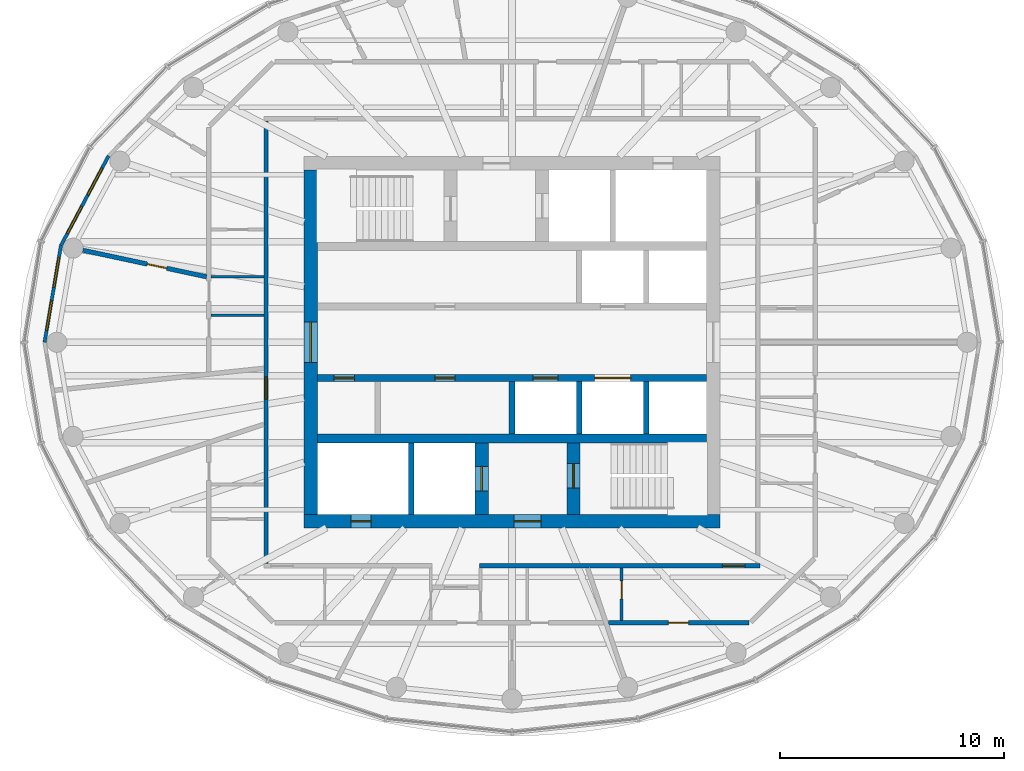
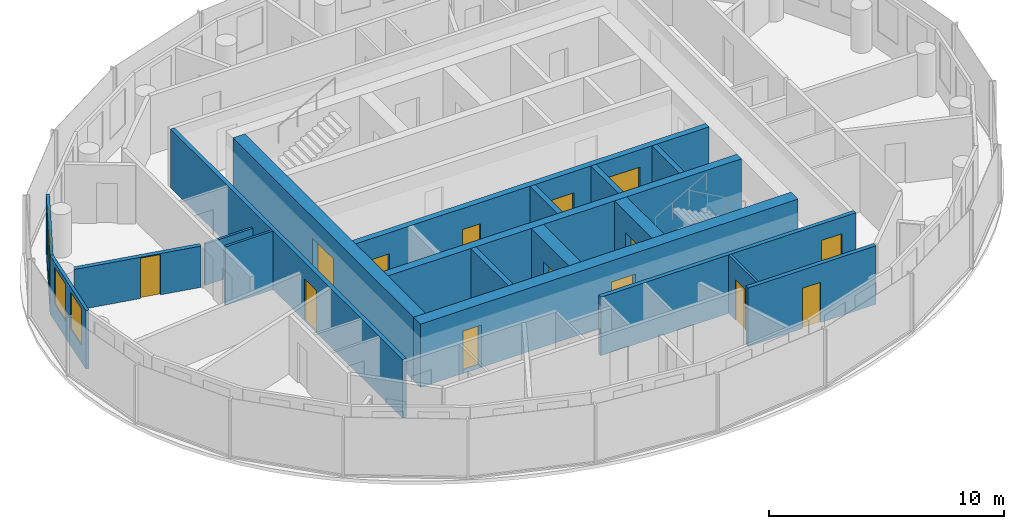
# One storey, part 6 of 11: 19 walls, 14 doors, 4 windows, 18 openings.
"""IFC4 building model written with IfcOpenShell, lengths in metres."""

from ifc_helpers import new_model, si_unit, direction, frame, frame_2d, origin, place, context, subcontext, project, spatial, rectangle, extrude, material, layer, layer_set, type_object, element, fill, save


model = new_model("IFC4")

# Units and contexts
model_context = context("Model", 3, precision=1e-05, world=origin(), true_north=direction((0.0, 1.0)))
body_context = subcontext(model_context, "Body", "Model", "MODEL_VIEW")
ifc_project = project(units=[si_unit("LENGTHUNIT", "METRE"), si_unit("AREAUNIT", "SQUARE_METRE"), si_unit("VOLUMEUNIT", "CUBIC_METRE"), si_unit("PLANEANGLEUNIT", "RADIAN"), si_unit("MASSUNIT", "GRAM", prefix="KILO")], contexts=[model_context])

# Site, building, storey
site_placement = place(None, origin())
site = spatial("IfcSite", under=ifc_project, at=site_placement, CompositionType="ELEMENT")
building_placement = place(site_placement, origin())
building = spatial("IfcBuilding", under=site, at=building_placement, Name="Hankou Lantern Tower", CompositionType="ELEMENT")
storey_placement = place(building_placement, frame((0.0, 0.0, 229.199951171875)))
storey = spatial("IfcBuildingStorey", under=building, at=storey_placement, Name="L62", CompositionType="ELEMENT", Elevation=229.199951171875)

# Wall, openings, doors
ifc_material_1 = material(Name="Concrete C60", Category="concrete")
ifc_layer_1 = layer(ifc_material_1, 0.60009765625)
ifc_layer_set_1 = layer_set([ifc_layer_1], Name="Concrete C60")
wall_type_1 = type_object("IfcWallType", Name="CW3 CORE WALL 600", PredefinedType="SHEAR", material=ifc_layer_set_1)
wall_1_placement = place(storey_placement, frame((9.300048828125, -8.0, 0.0), z_axis=(0.0, 0.0, 1.0), x_axis=(-1.0, 0.0, 0.0)))
wall_1 = element("IfcWall", 1, at=wall_1_placement, inside=storey, type_object=wall_type_1, Name="Core wall south L62", PredefinedType="SHEAR", context=body_context, shape_type="SweptSolid", body=[
    extrude(rectangle(XDim=18.60009765625, YDim=0.60009765625, at=frame_2d((9.300048828125, 0.0))), origin(), (0.0, 0.0, 1.0), 3.300048828125),
])
opening_1_placement = place(wall_1_placement, frame((8.0, 0.0, 0.0)))
opening_1 = element("IfcOpeningElement", 2, at=opening_1_placement, cuts=wall_1, Name="Opening D5", PredefinedType="OPENING", context=body_context, shape_type="SweptSolid", body=[
    extrude(rectangle(XDim=1.199951171875, YDim=2.199951171875, at=frame_2d((0.60009765625, 1.10009765625))), frame((0.0, 0.31005859375, 0.0), z_axis=(0.0, -1.0, 0.0), x_axis=(1.0, 0.0, 0.0)), (0.0, 0.0, 1.0), 0.6201171875),
])
opening_2_placement = place(wall_1_placement, frame((15.60009765625, 0.0, 0.0)))
opening_2 = element("IfcOpeningElement", 3, at=opening_2_placement, cuts=wall_1, Name="Opening D7", PredefinedType="OPENING", context=body_context, shape_type="SweptSolid", body=[
    extrude(rectangle(XDim=0.89990234375, YDim=2.199951171875, at=frame_2d((0.449951171875, 1.10009765625))), frame((0.0, 0.31005859375, 0.0), z_axis=(0.0, -1.0, 0.0), x_axis=(1.0, 0.0, 0.0)), (0.0, 0.0, 1.0), 0.6201171875),
])
ifc_material_2 = material(Name="Steel door leaf", Category="steel")
door_type_1 = type_object("IfcDoorType", Name="D5 STAIR LOBBY DOOR 1200X2200", OperationType="SINGLE_SWING_LEFT", PredefinedType="DOOR", material=ifc_material_2)
door_1_placement = place(opening_1_placement, origin())
door_1 = element("IfcDoor", 4, at=door_1_placement, inside=storey, type_object=door_type_1, Name="Stair B lobby door", OperationType="SINGLE_SWING_LEFT", OverallHeight=2.199951171875, OverallWidth=1.199951171875, PredefinedType="DOOR", context=body_context, shape_type="SweptSolid", body=[
    extrude(rectangle(XDim=1.199951171875, YDim=2.199951171875, at=frame_2d((0.60009765625, 1.10009765625))), frame((0.0, 0.02490234375, 0.0), z_axis=(0.0, -1.0, 0.0), x_axis=(1.0, 0.0, 0.0)), (0.0, 0.0, 1.0), 0.050048828125),
])
fill(opening_1, door_1)
ifc_material_3 = material(Name="Steel door leaf", Category="steel")
door_type_2 = type_object("IfcDoorType", Name="D7 RISER DOOR 900X2200", OperationType="SINGLE_SWING_LEFT", PredefinedType="DOOR", material=ifc_material_3)
door_2_placement = place(opening_2_placement, origin())
door_2 = element("IfcDoor", 5, at=door_2_placement, inside=storey, type_object=door_type_2, Name="Riser S1 door", OperationType="SINGLE_SWING_RIGHT", OverallHeight=2.199951171875, OverallWidth=0.89990234375, PredefinedType="DOOR", context=body_context, shape_type="SweptSolid", body=[
    extrude(rectangle(XDim=0.89990234375, YDim=2.199951171875, at=frame_2d((0.449951171875, 1.10009765625))), frame((0.0, 0.02490234375, 0.0), z_axis=(0.0, -1.0, 0.0), x_axis=(1.0, 0.0, 0.0)), (0.0, 0.0, 1.0), 0.050048828125),
])
fill(opening_2, door_2)

# Wall, opening, door
wall_2_placement = place(storey_placement, frame((-9.0, 7.699951171875, 0.0), z_axis=(0.0, 0.0, 1.0), x_axis=(0.0, -1.0, 0.0)))
wall_2 = element("IfcWall", 6, at=wall_2_placement, inside=storey, type_object=wall_type_1, Name="Core wall west L62", PredefinedType="SHEAR", context=body_context, shape_type="SweptSolid", body=[
    extrude(rectangle(XDim=15.39990234375, YDim=0.60009765625, at=frame_2d((7.699951171875, 0.0))), origin(), (0.0, 0.0, 1.0), 3.300048828125),
])
opening_3_placement = place(wall_2_placement, frame((6.800048828125, 0.0, 0.0)))
opening_3 = element("IfcOpeningElement", 7, at=opening_3_placement, cuts=wall_2, Name="Opening D6", PredefinedType="OPENING", context=body_context, shape_type="SweptSolid", body=[
    extrude(rectangle(XDim=1.800048828125, YDim=2.199951171875, at=frame_2d((0.89990234375, 1.10009765625))), frame((0.0, 0.31005859375, 0.0), z_axis=(0.0, -1.0, 0.0), x_axis=(1.0, 0.0, 0.0)), (0.0, 0.0, 1.0), 0.6201171875),
])
ifc_material_4 = material(Name="Steel door leaf", Category="steel")
door_type_3 = type_object("IfcDoorType", Name="D6 LIFT LOBBY DOOR 1800X2200", OperationType="DOUBLE_DOOR_DOUBLE_SWING", PredefinedType="DOOR", material=ifc_material_4)
door_3_placement = place(opening_3_placement, origin())
door_3 = element("IfcDoor", 8, at=door_3_placement, inside=storey, type_object=door_type_3, Name="Lift lobby west door", OperationType="DOUBLE_DOOR_DOUBLE_SWING", OverallHeight=2.199951171875, OverallWidth=1.800048828125, PredefinedType="DOOR", context=body_context, shape_type="SweptSolid", body=[
    extrude(rectangle(XDim=1.800048828125, YDim=2.199951171875, at=frame_2d((0.89990234375, 1.10009765625))), frame((0.0, 0.02490234375, 0.0), z_axis=(0.0, -1.0, 0.0), x_axis=(1.0, 0.0, 0.0)), (0.0, 0.0, 1.0), 0.050048828125),
])
fill(opening_3, door_3)

# Wall
ifc_material_5 = material(Name="Concrete C60", Category="concrete")
ifc_layer_2 = layer(ifc_material_5, 0.39990234375)
ifc_layer_set_2 = layer_set([ifc_layer_2], Name="Concrete C60")
wall_type_2 = type_object("IfcWallType", Name="CW4 CORE CROSS WALL 400", PredefinedType="SHEAR", material=ifc_layer_set_2)
wall_3_placement = place(storey_placement, frame((-8.699951171875, -4.300048828125, 0.0), z_axis=(0.0, 0.0, 1.0), x_axis=(1.0, 0.0, 0.0)))
element("IfcWall", 9, at=wall_3_placement, inside=storey, type_object=wall_type_2, Name="Core band wall south L62", PredefinedType="SHEAR", context=body_context, shape_type="SweptSolid", body=[
    extrude(rectangle(XDim=17.39990234375, YDim=0.39990234375, at=frame_2d((8.699951171875, 0.0))), origin(), (0.0, 0.0, 1.0), 3.300048828125),
])

# Wall, openings, doors
ifc_material_6 = material(Name="Concrete C60", Category="concrete")
ifc_layer_3 = layer(ifc_material_6, 0.300048828125)
ifc_layer_set_3 = layer_set([ifc_layer_3], Name="Concrete C60")
wall_type_3 = type_object("IfcWallType", Name="CW5 LIFT LOBBY WALL 300", PredefinedType="SHEAR", material=ifc_layer_set_3)
wall_4_placement = place(storey_placement, frame((-8.699951171875, -1.60009765625, 0.0), z_axis=(0.0, 0.0, 1.0), x_axis=(1.0, 0.0, 0.0)))
wall_4 = element("IfcWall", 10, at=wall_4_placement, inside=storey, type_object=wall_type_3, Name="Lift lobby wall south L62", PredefinedType="SHEAR", context=body_context, shape_type="SweptSolid", body=[
    extrude(rectangle(XDim=17.39990234375, YDim=0.300048828125, at=frame_2d((8.699951171875, 0.0))), origin(), (0.0, 0.0, 1.0), 3.300048828125),
])
opening_4_placement = place(wall_4_placement, frame((9.64990234375, 0.0, 0.0)))
opening_4 = element("IfcOpeningElement", 11, at=opening_4_placement, cuts=wall_4, Name="Opening LD1", PredefinedType="OPENING", context=body_context, shape_type="SweptSolid", body=[
    extrude(rectangle(XDim=1.10009765625, YDim=2.199951171875, at=frame_2d((0.550048828125, 1.10009765625))), frame((0.0, 0.159912109375, 0.0), z_axis=(0.0, -1.0, 0.0), x_axis=(1.0, 0.0, 0.0)), (0.0, 0.0, 1.0), 0.320068359375),
])
opening_5_placement = place(wall_4_placement, frame((12.39990234375, 0.0, 0.0)))
opening_5 = element("IfcOpeningElement", 12, at=opening_5_placement, cuts=wall_4, Name="Opening LD4", PredefinedType="OPENING", context=body_context, shape_type="SweptSolid", body=[
    extrude(rectangle(XDim=1.60009765625, YDim=2.39990234375, at=frame_2d((0.800048828125, 1.199951171875))), frame((0.0, 0.159912109375, 0.0), z_axis=(0.0, -1.0, 0.0), x_axis=(1.0, 0.0, 0.0)), (0.0, 0.0, 1.0), 0.320068359375),
])
opening_6_placement = place(wall_4_placement, frame((0.75, 0.0, 0.0)))
opening_6 = element("IfcOpeningElement", 13, at=opening_6_placement, cuts=wall_4, Name="Opening D30", PredefinedType="OPENING", context=body_context, shape_type="SweptSolid", body=[
    extrude(rectangle(XDim=0.89990234375, YDim=2.199951171875, at=frame_2d((0.449951171875, 1.10009765625))), frame((0.0, 0.159912109375, 0.0), z_axis=(0.0, -1.0, 0.0), x_axis=(1.0, 0.0, 0.0)), (0.0, 0.0, 1.0), 0.320068359375),
])
opening_7_placement = place(wall_4_placement, frame((5.25, 0.0, 0.0)))
opening_7 = element("IfcOpeningElement", 14, at=opening_7_placement, cuts=wall_4, Name="Opening D30", PredefinedType="OPENING", context=body_context, shape_type="SweptSolid", body=[
    extrude(rectangle(XDim=0.89990234375, YDim=2.199951171875, at=frame_2d((0.449951171875, 1.10009765625))), frame((0.0, 0.159912109375, 0.0), z_axis=(0.0, -1.0, 0.0), x_axis=(1.0, 0.0, 0.0)), (0.0, 0.0, 1.0), 0.320068359375),
])
ifc_material_7 = material(Name="Steel door leaf", Category="steel")
door_type_4 = type_object("IfcDoorType", Name="D30 CORE ROOM DOOR 900X2200", OperationType="SINGLE_SWING_LEFT", PredefinedType="DOOR", material=ifc_material_7)
door_4_placement = place(opening_6_placement, origin())
door_4 = element("IfcDoor", 15, at=door_4_placement, inside=storey, type_object=door_type_4, Name="Vending room door", OperationType="SINGLE_SWING_LEFT", OverallHeight=2.199951171875, OverallWidth=0.89990234375, PredefinedType="DOOR", context=body_context, shape_type="SweptSolid", body=[
    extrude(rectangle(XDim=0.89990234375, YDim=2.199951171875, at=frame_2d((0.449951171875, 1.10009765625))), frame((0.0, 0.02490234375, 0.0), z_axis=(0.0, -1.0, 0.0), x_axis=(1.0, 0.0, 0.0)), (0.0, 0.0, 1.0), 0.050048828125),
])
fill(opening_6, door_4)
door_5_placement = place(opening_7_placement, origin())
door_5 = element("IfcDoor", 16, at=door_5_placement, inside=storey, type_object=door_type_4, Name="Room service pantry door", OperationType="SINGLE_SWING_LEFT", OverallHeight=2.199951171875, OverallWidth=0.89990234375, PredefinedType="DOOR", context=body_context, shape_type="SweptSolid", body=[
    extrude(rectangle(XDim=0.89990234375, YDim=2.199951171875, at=frame_2d((0.449951171875, 1.10009765625))), frame((0.0, 0.02490234375, 0.0), z_axis=(0.0, -1.0, 0.0), x_axis=(1.0, 0.0, 0.0)), (0.0, 0.0, 1.0), 0.050048828125),
])
fill(opening_7, door_5)
ifc_material_8 = material(Name="Steel door leaf", Category="steel")
door_type_5 = type_object("IfcDoorType", Name="LD1 LIFT LANDING DOOR 1100X2200", OperationType="DOUBLE_DOOR_SLIDING", PredefinedType="DOOR", material=ifc_material_8)
door_6_placement = place(opening_4_placement, origin())
door_6 = element("IfcDoor", 17, at=door_6_placement, inside=storey, type_object=door_type_5, Name="Lift T2 landing door", OperationType="DOUBLE_DOOR_SLIDING", OverallHeight=2.199951171875, OverallWidth=1.10009765625, PredefinedType="DOOR", context=body_context, shape_type="SweptSolid", body=[
    extrude(rectangle(XDim=1.10009765625, YDim=2.199951171875, at=frame_2d((0.550048828125, 1.10009765625))), frame((0.0, 0.02490234375, 0.0), z_axis=(0.0, -1.0, 0.0), x_axis=(1.0, 0.0, 0.0)), (0.0, 0.0, 1.0), 0.050048828125),
])
fill(opening_4, door_6)
ifc_material_9 = material(Name="Steel door leaf", Category="steel")
door_type_6 = type_object("IfcDoorType", Name="LD4 SERVICE LIFT LANDING DOOR 1600X2400", OperationType="DOUBLE_DOOR_SLIDING", PredefinedType="DOOR", material=ifc_material_9)
door_7_placement = place(opening_5_placement, origin())
door_7 = element("IfcDoor", 18, at=door_7_placement, inside=storey, type_object=door_type_6, Name="Lift SV1 landing door", OperationType="DOUBLE_DOOR_SLIDING", OverallHeight=2.39990234375, OverallWidth=1.60009765625, PredefinedType="DOOR", context=body_context, shape_type="SweptSolid", body=[
    extrude(rectangle(XDim=1.60009765625, YDim=2.39990234375, at=frame_2d((0.800048828125, 1.199951171875))), frame((0.0, 0.02490234375, 0.0), z_axis=(0.0, -1.0, 0.0), x_axis=(1.0, 0.0, 0.0)), (0.0, 0.0, 1.0), 0.050048828125),
])
fill(opening_5, door_7)

# Wall, opening, door
ifc_material_10 = material(Name="Concrete C60", Category="concrete")
ifc_layer_4 = layer(ifc_material_10, 0.60009765625)
ifc_layer_set_4 = layer_set([ifc_layer_4], Name="Concrete C60")
wall_type_4 = type_object("IfcWallType", Name="CW6 STAIR AND SHAFT WALL 600", PredefinedType="SHEAR", material=ifc_layer_set_4)
wall_5_placement = place(storey_placement, frame((2.75, -7.699951171875, 0.0), z_axis=(0.0, 0.0, 1.0), x_axis=(0.0, 1.0, 0.0)))
wall_5 = element("IfcWall", 19, at=wall_5_placement, inside=storey, type_object=wall_type_4, Name="Stair wall L62", PredefinedType="SHEAR", context=body_context, shape_type="SweptSolid", body=[
    extrude(rectangle(XDim=3.199951171875, YDim=0.60009765625, at=frame_2d((1.60009765625, 0.0))), origin(), (0.0, 0.0, 1.0), 3.300048828125),
])
opening_8_placement = place(wall_5_placement, frame((1.175048828125, 0.0, 0.0)))
opening_8 = element("IfcOpeningElement", 20, at=opening_8_placement, cuts=wall_5, Name="Opening D4", PredefinedType="OPENING", context=body_context, shape_type="SweptSolid", body=[
    extrude(rectangle(XDim=1.10009765625, YDim=2.199951171875, at=frame_2d((0.550048828125, 1.10009765625))), frame((0.0, 0.31005859375, 0.0), z_axis=(0.0, -1.0, 0.0), x_axis=(1.0, 0.0, 0.0)), (0.0, 0.0, 1.0), 0.6201171875),
])
ifc_material_11 = material(Name="Steel door leaf", Category="steel")
door_type_7 = type_object("IfcDoorType", Name="D4 STAIR DOOR 1100X2200", OperationType="SINGLE_SWING_LEFT", PredefinedType="DOOR", material=ifc_material_11)
door_8_placement = place(opening_8_placement, origin())
door_8 = element("IfcDoor", 21, at=door_8_placement, inside=storey, type_object=door_type_7, Name="Stair B door", OperationType="SINGLE_SWING_RIGHT", OverallHeight=2.199951171875, OverallWidth=1.10009765625, PredefinedType="DOOR", context=body_context, shape_type="SweptSolid", body=[
    extrude(rectangle(XDim=1.10009765625, YDim=2.199951171875, at=frame_2d((0.550048828125, 1.10009765625))), frame((0.0, 0.02490234375, 0.0), z_axis=(0.0, -1.0, 0.0), x_axis=(1.0, 0.0, 0.0)), (0.0, 0.0, 1.0), 0.050048828125),
])
fill(opening_8, door_8)

wall_6_placement = place(storey_placement, frame((-1.35009765625, -7.699951171875, 0.0), z_axis=(0.0, 0.0, 1.0), x_axis=(0.0, 1.0, 0.0)))
wall_6 = element("IfcWall", 22, at=wall_6_placement, inside=storey, type_object=wall_type_4, Name="Firefighting lift shaft wall L62", PredefinedType="SHEAR", context=body_context, shape_type="SweptSolid", body=[
    extrude(rectangle(XDim=3.199951171875, YDim=0.60009765625, at=frame_2d((1.60009765625, 0.0))), origin(), (0.0, 0.0, 1.0), 3.300048828125),
])
opening_9_placement = place(wall_6_placement, frame((1.050048828125, 0.0, 0.0)))
opening_9 = element("IfcOpeningElement", 23, at=opening_9_placement, cuts=wall_6, Name="Opening LD2", PredefinedType="OPENING", context=body_context, shape_type="SweptSolid", body=[
    extrude(rectangle(XDim=1.10009765625, YDim=2.199951171875, at=frame_2d((0.550048828125, 1.10009765625))), frame((0.0, 0.31005859375, 0.0), z_axis=(0.0, -1.0, 0.0), x_axis=(1.0, 0.0, 0.0)), (0.0, 0.0, 1.0), 0.6201171875),
])
ifc_material_12 = material(Name="Steel door leaf", Category="steel")
door_type_8 = type_object("IfcDoorType", Name="LD2 FIREFIGHTING LIFT LANDING DOOR 1100X2200", OperationType="DOUBLE_DOOR_SLIDING", PredefinedType="DOOR", material=ifc_material_12)
door_9_placement = place(opening_9_placement, origin())
door_9 = element("IfcDoor", 24, at=door_9_placement, inside=storey, type_object=door_type_8, Name="Firefighting lift FL2 landing door", OperationType="DOUBLE_DOOR_SLIDING", OverallHeight=2.199951171875, OverallWidth=1.10009765625, PredefinedType="DOOR", context=body_context, shape_type="SweptSolid", body=[
    extrude(rectangle(XDim=1.10009765625, YDim=2.199951171875, at=frame_2d((0.550048828125, 1.10009765625))), frame((0.0, 0.02490234375, 0.0), z_axis=(0.0, -1.0, 0.0), x_axis=(1.0, 0.0, 0.0)), (0.0, 0.0, 1.0), 0.050048828125),
])
fill(opening_9, door_9)

# Wall, openings, windows
ifc_material_13 = material(Name="Aluminium spandrel panel on steel studs", Category="steel")
ifc_layer_5 = layer(ifc_material_13, 0.14990234375)
ifc_layer_set_5 = layer_set([ifc_layer_5], Name="Aluminium spandrel panel on steel studs")
wall_type_5 = type_object("IfcWallType", Name="EW1 INNER SKIN WALL 150", PredefinedType="ELEMENTEDWALL", material=ifc_layer_set_5)
wall_7_placement = place(storey_placement, frame((-18.03955078125, 8.33203125, 0.0), z_axis=(0.0, 0.0, 1.0), x_axis=(-0.469256152955, -0.883062094597, 0.0)))
wall_7 = element("IfcWall", 25, at=wall_7_placement, inside=storey, type_object=wall_type_5, Name="Inner skin R11-R12 L62", PredefinedType="ELEMENTEDWALL", context=body_context, shape_type="SweptSolid", body=[
    extrude(rectangle(XDim=4.539306640625, YDim=0.14990234375, at=frame_2d((2.26953125, 0.0))), origin(), (0.0, 0.0, 1.0), 3.050048828125),
])
opening_10_placement = place(wall_7_placement, frame((0.61962890625, 0.0, 0.89990234375)))
opening_10 = element("IfcOpeningElement", 26, at=opening_10_placement, cuts=wall_7, Name="Opening W4", PredefinedType="OPENING", context=body_context, shape_type="SweptSolid", body=[
    extrude(rectangle(XDim=1.35009765625, YDim=1.89990234375, at=frame_2d((0.675048828125, 0.949951171875))), frame((0.0, 0.0849609375, 0.0), z_axis=(0.0, -1.0, 0.0), x_axis=(1.0, 0.0, 0.0)), (0.0, 0.0, 1.0), 0.169921875),
])
opening_11_placement = place(wall_7_placement, frame((2.569580078125, 0.0, 0.89990234375)))
opening_11 = element("IfcOpeningElement", 27, at=opening_11_placement, cuts=wall_7, Name="Opening W4", PredefinedType="OPENING", context=body_context, shape_type="SweptSolid", body=[
    extrude(rectangle(XDim=1.35009765625, YDim=1.89990234375, at=frame_2d((0.675048828125, 0.949951171875))), frame((0.0, 0.0849609375, 0.0), z_axis=(0.0, -1.0, 0.0), x_axis=(1.0, 0.0, 0.0)), (0.0, 0.0, 1.0), 0.169921875),
])
ifc_material_14 = material(Name="Aluminium framed double glazed window", Category="aluminium")
window_type = type_object("IfcWindowType", Name="W4 SUITE WINDOW 1350X1900", PartitioningType="DOUBLE_PANEL_VERTICAL", PredefinedType="WINDOW", material=ifc_material_14)
window_1_placement = place(opening_10_placement, origin())
window_1 = element("IfcWindow", 28, at=window_1_placement, inside=storey, type_object=window_type, Name="Window R11.1 L62", OverallHeight=1.89990234375, OverallWidth=1.35009765625, PartitioningType="SINGLE_PANEL", PredefinedType="WINDOW", context=body_context, shape_type="SweptSolid", body=[
    extrude(rectangle(XDim=1.35009765625, YDim=1.89990234375, at=frame_2d((0.675048828125, 0.949951171875))), frame((0.0, 0.030029296875, 0.0), z_axis=(0.0, -1.0, 0.0), x_axis=(1.0, 0.0, 0.0)), (0.0, 0.0, 1.0), 0.06005859375),
])
fill(opening_10, window_1)
window_2_placement = place(opening_11_placement, origin())
window_2 = element("IfcWindow", 29, at=window_2_placement, inside=storey, type_object=window_type, Name="Window R11.2 L62", OverallHeight=1.89990234375, OverallWidth=1.35009765625, PartitioningType="SINGLE_PANEL", PredefinedType="WINDOW", context=body_context, shape_type="SweptSolid", body=[
    extrude(rectangle(XDim=1.35009765625, YDim=1.89990234375, at=frame_2d((0.675048828125, 0.949951171875))), frame((0.0, 0.030029296875, 0.0), z_axis=(0.0, -1.0, 0.0), x_axis=(1.0, 0.0, 0.0)), (0.0, 0.0, 1.0), 0.06005859375),
])
fill(opening_11, window_2)

wall_8_placement = place(storey_placement, frame((-20.169677734375, 4.323486328125, 0.0), z_axis=(0.0, 0.0, 1.0), x_axis=(-0.166538513568, -0.986034950445, 0.0)))
wall_8 = element("IfcWall", 30, at=wall_8_placement, inside=storey, type_object=wall_type_5, Name="Inner skin R12-R13 L62", PredefinedType="ELEMENTEDWALL", context=body_context, shape_type="SweptSolid", body=[
    extrude(rectangle(XDim=4.384765625, YDim=0.14990234375, at=frame_2d((2.1923828125, 0.0))), origin(), (0.0, 0.0, 1.0), 3.050048828125),
])
opening_12_placement = place(wall_8_placement, frame((0.54248046875, 0.0, 0.89990234375)))
opening_12 = element("IfcOpeningElement", 31, at=opening_12_placement, cuts=wall_8, Name="Opening W4", PredefinedType="OPENING", context=body_context, shape_type="SweptSolid", body=[
    extrude(rectangle(XDim=1.35009765625, YDim=1.89990234375, at=frame_2d((0.675048828125, 0.949951171875))), frame((0.0, 0.0849609375, 0.0), z_axis=(0.0, -1.0, 0.0), x_axis=(1.0, 0.0, 0.0)), (0.0, 0.0, 1.0), 0.169921875),
])
opening_13_placement = place(wall_8_placement, frame((2.492431640625, 0.0, 0.89990234375)))
opening_13 = element("IfcOpeningElement", 32, at=opening_13_placement, cuts=wall_8, Name="Opening W4", PredefinedType="OPENING", context=body_context, shape_type="SweptSolid", body=[
    extrude(rectangle(XDim=1.35009765625, YDim=1.89990234375, at=frame_2d((0.675048828125, 0.949951171875))), frame((0.0, 0.0849609375, 0.0), z_axis=(0.0, -1.0, 0.0), x_axis=(1.0, 0.0, 0.0)), (0.0, 0.0, 1.0), 0.169921875),
])
window_3_placement = place(opening_12_placement, origin())
window_3 = element("IfcWindow", 33, at=window_3_placement, inside=storey, type_object=window_type, Name="Window R12.1 L62", OverallHeight=1.89990234375, OverallWidth=1.35009765625, PartitioningType="SINGLE_PANEL", PredefinedType="WINDOW", context=body_context, shape_type="SweptSolid", body=[
    extrude(rectangle(XDim=1.35009765625, YDim=1.89990234375, at=frame_2d((0.675048828125, 0.949951171875))), frame((0.0, 0.030029296875, 0.0), z_axis=(0.0, -1.0, 0.0), x_axis=(1.0, 0.0, 0.0)), (0.0, 0.0, 1.0), 0.06005859375),
])
fill(opening_12, window_3)
window_4_placement = place(opening_13_placement, origin())
window_4 = element("IfcWindow", 34, at=window_4_placement, inside=storey, type_object=window_type, Name="Window R12.2 L62", OverallHeight=1.89990234375, OverallWidth=1.35009765625, PartitioningType="SINGLE_PANEL", PredefinedType="WINDOW", context=body_context, shape_type="SweptSolid", body=[
    extrude(rectangle(XDim=1.35009765625, YDim=1.89990234375, at=frame_2d((0.675048828125, 0.949951171875))), frame((0.0, 0.030029296875, 0.0), z_axis=(0.0, -1.0, 0.0), x_axis=(1.0, 0.0, 0.0)), (0.0, 0.0, 1.0), 0.06005859375),
])
fill(opening_13, window_4)

# Wall, opening, door
ifc_material_15 = material(Name="Masonry lightweight concrete block", Category="masonry")
ifc_layer_6 = layer(ifc_material_15, 0.199951171875)
ifc_layer_set_6 = layer_set([ifc_layer_6], Name="Masonry lightweight concrete block")
wall_type_6 = type_object("IfcWallType", Name="IW2 CORRIDOR WALL 200", PredefinedType="PARTITIONING", material=ifc_layer_set_6)
wall_9_placement = place(storey_placement, frame((11.10009765625, -10.0, 0.0), z_axis=(0.0, 0.0, 1.0), x_axis=(-1.0, 0.0, 0.0)))
wall_9 = element("IfcWall", 35, at=wall_9_placement, inside=storey, type_object=wall_type_6, Name="Corridor wall south", PredefinedType="PARTITIONING", context=body_context, shape_type="SweptSolid", body=[
    extrude(rectangle(XDim=12.55908203125, YDim=0.199951171875, at=frame_2d((6.279541015625, 0.0))), origin(), (0.0, 0.0, 1.0), 3.050048828125),
])
opening_14_placement = place(wall_9_placement, frame((0.690673828125, 0.0, 0.0)))
opening_14 = element("IfcOpeningElement", 36, at=opening_14_placement, cuts=wall_9, Name="Opening D2", PredefinedType="OPENING", context=body_context, shape_type="SweptSolid", body=[
    extrude(rectangle(XDim=1.0, YDim=2.199951171875, at=frame_2d((0.5, 1.10009765625))), frame((0.0, 0.10986328125, 0.0), z_axis=(0.0, -1.0, 0.0), x_axis=(1.0, 0.0, 0.0)), (0.0, 0.0, 1.0), 0.219970703125),
])
ifc_material_16 = material(Name="Steel door leaf", Category="steel")
door_type_9 = type_object("IfcDoorType", Name="D2 SUITE DOOR 1000X2200", OperationType="SINGLE_SWING_LEFT", PredefinedType="DOOR", material=ifc_material_16)
door_10_placement = place(opening_14_placement, origin())
door_10 = element("IfcDoor", 37, at=door_10_placement, inside=storey, type_object=door_type_9, Name="Suite door 6206", OperationType="SINGLE_SWING_RIGHT", OverallHeight=2.199951171875, OverallWidth=1.0, PredefinedType="DOOR", context=body_context, shape_type="SweptSolid", body=[
    extrude(rectangle(XDim=1.0, YDim=2.199951171875, at=frame_2d((0.5, 1.10009765625))), frame((0.0, 0.02490234375, 0.0), z_axis=(0.0, -1.0, 0.0), x_axis=(1.0, 0.0, 0.0)), (0.0, 0.0, 1.0), 0.050048828125),
])
fill(opening_14, door_10)

wall_10_placement = place(storey_placement, frame((-11.0, 9.89990234375, 0.0), z_axis=(0.0, 0.0, 1.0), x_axis=(0.0, -1.0, 0.0)))
wall_10 = element("IfcWall", 38, at=wall_10_placement, inside=storey, type_object=wall_type_6, Name="Corridor wall west", PredefinedType="PARTITIONING", context=body_context, shape_type="SweptSolid", body=[
    extrude(rectangle(XDim=19.7998046875, YDim=0.199951171875, at=frame_2d((9.89990234375, 0.0))), origin(), (0.0, 0.0, 1.0), 3.050048828125),
])
opening_15_placement = place(wall_10_placement, frame((11.443603515625, 0.0, 0.0)))
opening_15 = element("IfcOpeningElement", 39, at=opening_15_placement, cuts=wall_10, Name="Opening D28", PredefinedType="OPENING", context=body_context, shape_type="SweptSolid", body=[
    extrude(rectangle(XDim=1.0, YDim=2.199951171875, at=frame_2d((0.5, 1.10009765625))), frame((0.0, 0.10986328125, 0.0), z_axis=(0.0, -1.0, 0.0), x_axis=(1.0, 0.0, 0.0)), (0.0, 0.0, 1.0), 0.219970703125),
])
ifc_material_17 = material(Name="Steel door leaf", Category="steel")
door_type_10 = type_object("IfcDoorType", Name="D28 SERVICE DOOR 1000X2200", OperationType="SINGLE_SWING_LEFT", PredefinedType="DOOR", material=ifc_material_17)
door_11_placement = place(opening_15_placement, origin())
door_11 = element("IfcDoor", 40, at=door_11_placement, inside=storey, type_object=door_type_10, Name="Service door 6203", OperationType="SINGLE_SWING_RIGHT", OverallHeight=2.199951171875, OverallWidth=1.0, PredefinedType="DOOR", context=body_context, shape_type="SweptSolid", body=[
    extrude(rectangle(XDim=1.0, YDim=2.199951171875, at=frame_2d((0.5, 1.10009765625))), frame((0.0, 0.02490234375, 0.0), z_axis=(0.0, -1.0, 0.0), x_axis=(1.0, 0.0, 0.0)), (0.0, 0.0, 1.0), 0.050048828125),
])
fill(opening_15, door_11)

# Walls
ifc_material_18 = material(Name="Masonry lightweight concrete block", Category="masonry")
ifc_layer_7 = layer(ifc_material_18, 0.1201171875)
ifc_layer_set_7 = layer_set([ifc_layer_7], Name="Masonry lightweight concrete block")
wall_type_7 = type_object("IfcWallType", Name="IW3 BATHROOM WALL 120", PredefinedType="PARTITIONING", material=ifc_layer_set_7)
wall_11_placement = place(storey_placement, frame((-11.10009765625, 2.923583984375, 0.0), z_axis=(0.0, 0.0, 1.0), x_axis=(-1.0, 0.0, 0.0)))
element("IfcWall", 41, at=wall_11_placement, inside=storey, type_object=wall_type_7, Name="Box wall 6202 4", PredefinedType="PARTITIONING", context=body_context, shape_type="SweptSolid", body=[
    extrude(rectangle(XDim=2.349853515625, YDim=0.1201171875, at=frame_2d((1.1748046875, 0.0))), origin(), (0.0, 0.0, 1.0), 2.150146484375),
])
wall_12_placement = place(storey_placement, frame((-11.10009765625, 1.20361328125, 0.0), z_axis=(0.0, 0.0, 1.0), x_axis=(-1.0, 0.0, 0.0)))
element("IfcWall", 42, at=wall_12_placement, inside=storey, type_object=wall_type_7, Name="Box wall 6202 5", PredefinedType="PARTITIONING", context=body_context, shape_type="SweptSolid", body=[
    extrude(rectangle(XDim=2.349853515625, YDim=0.1201171875, at=frame_2d((1.1748046875, 0.0))), origin(), (0.0, 0.0, 1.0), 3.050048828125),
])

# Wall, opening, door
wall_13_placement = place(storey_placement, frame((4.8994140625, -10.10009765625, 0.0), z_axis=(0.0, 0.0, 1.0), x_axis=(0.0, -1.0, 0.0)))
wall_13 = element("IfcWall", 43, at=wall_13_placement, inside=storey, type_object=wall_type_7, Name="Box wall 6206 1", PredefinedType="PARTITIONING", context=body_context, shape_type="SweptSolid", body=[
    extrude(rectangle(XDim=2.349853515625, YDim=0.1201171875, at=frame_2d((1.1748046875, 0.0))), origin(), (0.0, 0.0, 1.0), 3.050048828125),
])
opening_16_placement = place(wall_13_placement, frame((0.570068359375, 0.0, 0.0)))
opening_16 = element("IfcOpeningElement", 44, at=opening_16_placement, cuts=wall_13, Name="Opening D3", PredefinedType="OPENING", context=body_context, shape_type="SweptSolid", body=[
    extrude(rectangle(XDim=0.800048828125, YDim=2.10009765625, at=frame_2d((0.39990234375, 1.050048828125))), frame((0.0, 0.070068359375, 0.0), z_axis=(0.0, -1.0, 0.0), x_axis=(1.0, 0.0, 0.0)), (0.0, 0.0, 1.0), 0.14013671875),
])
ifc_material_19 = material(Name="Timber door leaf", Category="wood")
door_type_11 = type_object("IfcDoorType", Name="D3 BATHROOM DOOR 800X2100", OperationType="SINGLE_SWING_LEFT", PredefinedType="DOOR", material=ifc_material_19)
door_12_placement = place(opening_16_placement, origin())
door_12 = element("IfcDoor", 45, at=door_12_placement, inside=storey, type_object=door_type_11, Name="Corner suite 6206 guest WC door", OperationType="SINGLE_SWING_LEFT", OverallHeight=2.10009765625, OverallWidth=0.800048828125, PredefinedType="DOOR", context=body_context, shape_type="SweptSolid", body=[
    extrude(rectangle(XDim=0.800048828125, YDim=2.10009765625, at=frame_2d((0.39990234375, 1.050048828125))), frame((0.0, 0.02490234375, 0.0), z_axis=(0.0, -1.0, 0.0), x_axis=(1.0, 0.0, 0.0)), (0.0, 0.0, 1.0), 0.050048828125),
])
fill(opening_16, door_12)

ifc_material_20 = material(Name="Masonry lightweight concrete block", Category="masonry")
ifc_layer_8 = layer(ifc_material_20, 0.199951171875)
ifc_layer_set_8 = layer_set([ifc_layer_8], Name="Masonry lightweight concrete block")
wall_type_8 = type_object("IfcWallType", Name="IW6 SUITE PARTITION 200", PredefinedType="PARTITIONING", material=ifc_layer_set_8)
wall_14_placement = place(storey_placement, frame((-13.65478515625, 2.927001953125, 0.0), z_axis=(0.0, 0.0, 1.0), x_axis=(-0.977790419294, 0.209585056568, 0.0)))
wall_14 = element("IfcWall", 46, at=wall_14_placement, inside=storey, type_object=wall_type_8, Name="Suite partition R12", PredefinedType="PARTITIONING", context=body_context, shape_type="SweptSolid", body=[
    extrude(rectangle(XDim=5.66015625, YDim=0.199951171875, at=frame_2d((2.830078125, 0.0))), origin(), (0.0, 0.0, 1.0), 2.150146484375),
])
opening_17_placement = place(wall_14_placement, frame((1.820068359375, 0.0, 0.0)))
opening_17 = element("IfcOpeningElement", 47, at=opening_17_placement, cuts=wall_14, Name="Opening D27", PredefinedType="OPENING", context=body_context, shape_type="SweptSolid", body=[
    extrude(rectangle(XDim=0.89990234375, YDim=2.10009765625, at=frame_2d((0.449951171875, 1.050048828125))), frame((0.0, 0.10986328125, 0.0), z_axis=(0.0, -1.0, 0.0), x_axis=(1.0, 0.0, 0.0)), (0.0, 0.0, 1.0), 0.219970703125),
])
ifc_material_21 = material(Name="Timber door leaf", Category="wood")
door_type_12 = type_object("IfcDoorType", Name="D27 INTERNAL DOOR 900X2100", OperationType="SINGLE_SWING_LEFT", PredefinedType="DOOR", material=ifc_material_21)
door_13_placement = place(opening_17_placement, origin())
door_13 = element("IfcDoor", 48, at=door_13_placement, inside=storey, type_object=door_type_12, Name="Presidential suite 6202 master bedroom door", OperationType="SINGLE_SWING_LEFT", OverallHeight=2.10009765625, OverallWidth=0.89990234375, PredefinedType="DOOR", context=body_context, shape_type="SweptSolid", body=[
    extrude(rectangle(XDim=0.89990234375, YDim=2.10009765625, at=frame_2d((0.449951171875, 1.050048828125))), frame((0.0, 0.02490234375, 0.0), z_axis=(0.0, -1.0, 0.0), x_axis=(1.0, 0.0, 0.0)), (0.0, 0.0, 1.0), 0.050048828125),
])
fill(opening_17, door_13)

wall_15_placement = place(storey_placement, frame((4.324951171875, -12.550048828125, 0.0), z_axis=(0.0, 0.0, 1.0), x_axis=(1.0, 0.0, 0.0)))
wall_15 = element("IfcWall", 49, at=wall_15_placement, inside=storey, type_object=wall_type_8, Name="Suite foyer wall 6206", PredefinedType="PARTITIONING", context=body_context, shape_type="SweptSolid", body=[
    extrude(rectangle(XDim=6.28369140625, YDim=0.199951171875, at=frame_2d((3.141845703125, 0.0))), origin(), (0.0, 0.0, 1.0), 3.050048828125),
])
opening_18_placement = place(wall_15_placement, frame((2.669921875, 0.0, 0.0)))
opening_18 = element("IfcOpeningElement", 50, at=opening_18_placement, cuts=wall_15, Name="Opening D27", PredefinedType="OPENING", context=body_context, shape_type="SweptSolid", body=[
    extrude(rectangle(XDim=0.89990234375, YDim=2.10009765625, at=frame_2d((0.449951171875, 1.050048828125))), frame((0.0, 0.10986328125, 0.0), z_axis=(0.0, -1.0, 0.0), x_axis=(1.0, 0.0, 0.0)), (0.0, 0.0, 1.0), 0.219970703125),
])
door_14_placement = place(opening_18_placement, origin())
door_14 = element("IfcDoor", 51, at=door_14_placement, inside=storey, type_object=door_type_12, Name="Corner suite 6206 living room door", OperationType="SINGLE_SWING_LEFT", OverallHeight=2.10009765625, OverallWidth=0.89990234375, PredefinedType="DOOR", context=body_context, shape_type="SweptSolid", body=[
    extrude(rectangle(XDim=0.89990234375, YDim=2.10009765625, at=frame_2d((0.449951171875, 1.050048828125))), frame((0.0, 0.02490234375, 0.0), z_axis=(0.0, -1.0, 0.0), x_axis=(1.0, 0.0, 0.0)), (0.0, 0.0, 1.0), 0.050048828125),
])
fill(opening_18, door_14)

# Walls
ifc_material_22 = material(Name="Masonry autoclaved aerated concrete block", Category="masonry")
ifc_layer_9 = layer(ifc_material_22, 0.25)
ifc_layer_set_9 = layer_set([ifc_layer_9], Name="Masonry autoclaved aerated concrete block")
wall_type_9 = type_object("IfcWallType", Name="SW1 SHAFT BLOCK WALL 250", PredefinedType="PARTITIONING", material=ifc_layer_set_9)
wall_16_placement = place(storey_placement, frame((-4.5, -7.699951171875, 0.0), z_axis=(0.0, 0.0, 1.0), x_axis=(0.0, 1.0, 0.0)))
element("IfcWall", 52, at=wall_16_placement, inside=storey, type_object=wall_type_9, Name="Riser wall L62", PredefinedType="PARTITIONING", context=body_context, shape_type="SweptSolid", body=[
    extrude(rectangle(XDim=3.199951171875, YDim=0.25, at=frame_2d((1.60009765625, 0.0))), origin(), (0.0, 0.0, 1.0), 3.300048828125),
])
for number, where, z_axis, x_axis, name in (
    (53, (0.0, -4.10009765625, 0.0), (0.0, 0.0, 1.0), (0.0, 1.0, 0.0), "Lift shaft wall L62"),
    (54, (3.0, -4.10009765625, 0.0), (0.0, 0.0, 1.0), (0.0, 1.0, 0.0), "Lift shaft wall L62"),
    (55, (6.0, -4.10009765625, 0.0), (0.0, 0.0, 1.0), (0.0, 1.0, 0.0), "Lift shaft wall L62"),
):
    element("IfcWall", number, at=place(storey_placement, frame(where, z_axis=z_axis, x_axis=x_axis)), inside=storey, type_object=wall_type_9, Name=name, PredefinedType="PARTITIONING", context=body_context, shape_type="SweptSolid", body=[
        extrude(rectangle(XDim=2.35009765625, YDim=0.25, at=frame_2d((1.175048828125, 0.0))), origin(), (0.0, 0.0, 1.0), 3.300048828125),
    ])

save(model, "model.ifc")
